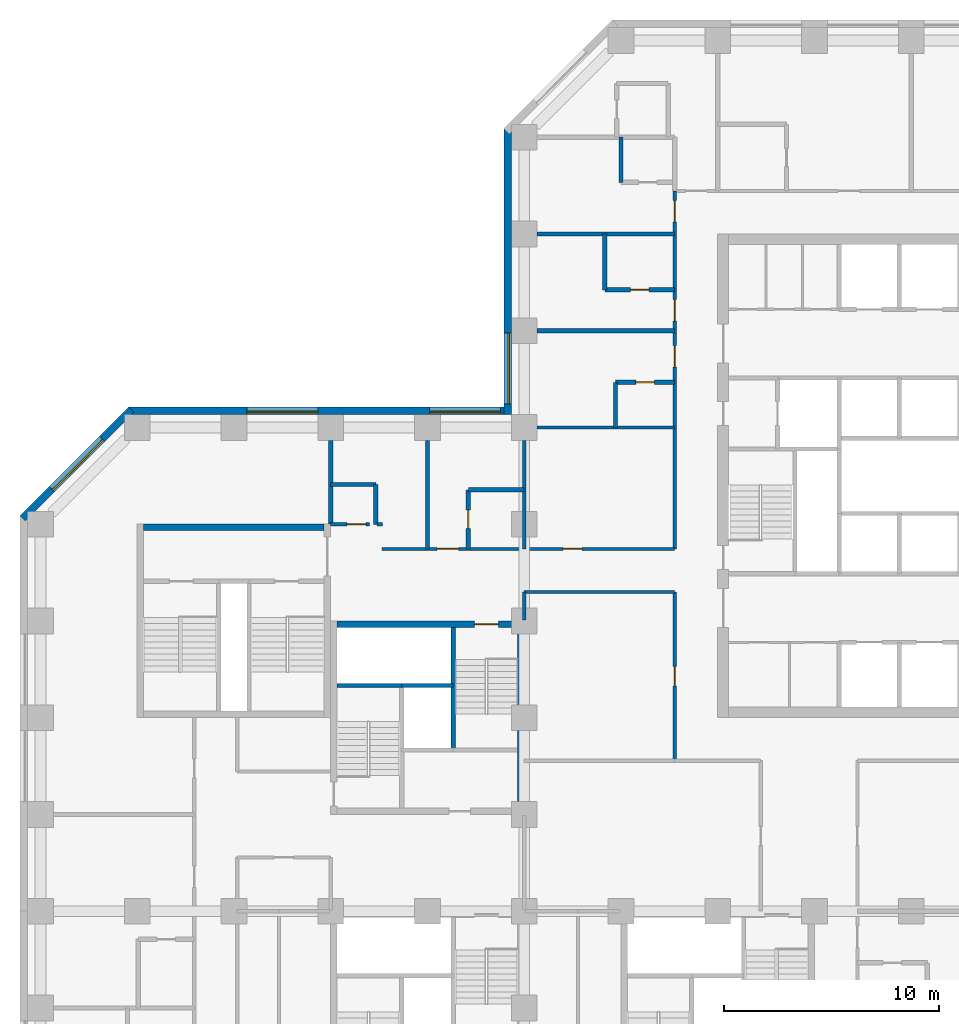
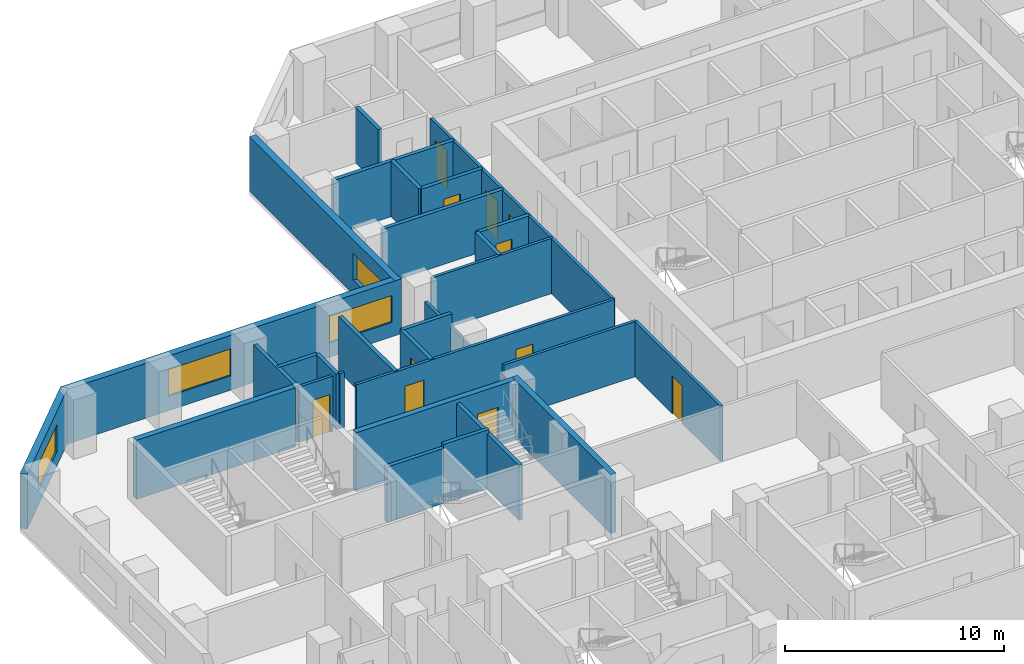
# One storey, part 6 of 12: 31 walls, 11 doors, 4 windows, 15 openings.
"""IFC4 building model written with IfcOpenShell, lengths in metres."""

from ifc_helpers import new_model, si_unit, direction, frame, frame_2d, origin, place, context, subcontext, project, spatial, rectangle, extrude, material, layer, layer_set, constituent, constituent_set, type_object, element, fill, save


model = new_model("IFC4")

# Units and contexts
model_context = context("Model", 3, precision=1e-05, world=origin(), true_north=direction((0.0, 1.0)))
body_context = subcontext(model_context, "Body", "Model", "MODEL_VIEW")
ifc_project = project(units=[si_unit("LENGTHUNIT", "METRE"), si_unit("AREAUNIT", "SQUARE_METRE"), si_unit("VOLUMEUNIT", "CUBIC_METRE"), si_unit("PLANEANGLEUNIT", "RADIAN"), si_unit("MASSUNIT", "GRAM", prefix="KILO")], contexts=[model_context])

# Site, building, storey
site_placement = place(None, origin())
site = spatial("IfcSite", under=ifc_project, at=site_placement, CompositionType="ELEMENT")
building_placement = place(site_placement, origin())
building = spatial("IfcBuilding", under=site, at=building_placement, Name="Quoin Convention Tower", CompositionType="ELEMENT")
storey_placement = place(building_placement, frame((0.0, 0.0, 42.89990234375)))
storey = spatial("IfcBuildingStorey", under=building, at=storey_placement, Name="L10", CompositionType="ELEMENT", Elevation=42.89990234375)

# Wall, opening, window
ifc_material_1 = material(Name="Brick masonry", Category="masonry")
ifc_layer_1 = layer(ifc_material_1, 0.35009765625)
ifc_layer_set_1 = layer_set([ifc_layer_1], Name="Brick masonry")
wall_type_1 = type_object("IfcWallType", Name="Brick facade wall", PredefinedType="STANDARD", material=ifc_layer_set_1)
wall_1_placement = place(storey_placement, frame((35.22509765625, 76.8935546875, 0.0), z_axis=(0.0, 0.0, 1.0), x_axis=(0.0, -1.0, 0.0)))
wall_1 = element("IfcWall", 1, at=wall_1_placement, inside=storey, type_object=wall_type_1, Name="fw-L10-36000_76500", PredefinedType="STANDARD", context=body_context, shape_type="SweptSolid", body=[
    extrude(rectangle(XDim=13.29345703125, YDim=0.35009765625, at=frame_2d((6.646728515625, 0.0))), origin(), (0.0, 0.0, 1.0), 3.05517578125),
])
opening_1_placement = place(wall_1_placement, frame((9.493408203125, 0.0, 0.800048828125)))
opening_1 = element("IfcOpeningElement", 2, at=opening_1_placement, cuts=wall_1, Name="Opening W-01", PredefinedType="OPENING", context=body_context, shape_type="SweptSolid", body=[
    extrude(rectangle(XDim=3.300048828125, YDim=1.5, at=frame_2d((1.64990234375, 0.75))), frame((0.0, 0.18505859375, 0.0), z_axis=(0.0, -1.0, 0.0), x_axis=(1.0, 0.0, 0.0)), (0.0, 0.0, 1.0), 0.3701171875),
])
ifc_material_2 = material(Name="Aluminium", Category="aluminium")
ifc_constituent_1 = constituent(ifc_material_2, Name="Frame")
ifc_material_3 = material(Name="Insulated glass", Category="glass")
ifc_constituent_2 = constituent(ifc_material_3, Name="Glazing")
ifc_constituent_set = constituent_set(constituents=[ifc_constituent_1, ifc_constituent_2], Name="Aluminium")
window_type = type_object("IfcWindowType", Name="Hotel strip window", PartitioningType="DOUBLE_PANEL_VERTICAL", PredefinedType="WINDOW", material=ifc_constituent_set)
window_1_placement = place(opening_1_placement, origin())
window_1 = element("IfcWindow", 3, at=window_1_placement, inside=storey, type_object=window_type, Name="win-L10-35225_65250", OverallHeight=1.5, OverallWidth=3.300048828125, PartitioningType="SINGLE_PANEL", PredefinedType="WINDOW", context=body_context, shape_type="SweptSolid", body=[
    extrude(rectangle(XDim=3.300048828125, YDim=1.5, at=frame_2d((1.64990234375, 0.75))), frame((0.0, 0.0849609375, 0.0), z_axis=(0.0, -1.0, 0.0), x_axis=(1.0, 0.0, 0.0)), (0.0, 0.0, 1.0), 0.06005859375),
])
fill(opening_1, window_1)

# Wall, openings, windows
wall_2_placement = place(storey_placement, frame((35.39990234375, 63.77490234375, 0.0), z_axis=(0.0, 0.0, 1.0), x_axis=(-1.0, 0.0, 0.0)))
wall_2 = element("IfcWall", 4, at=wall_2_placement, inside=storey, type_object=wall_type_1, Name="fw-L10-36000_63000", PredefinedType="STANDARD", context=body_context, shape_type="SweptSolid", body=[
    extrude(rectangle(XDim=17.79345703125, YDim=0.35009765625, at=frame_2d((8.896728515625, 0.0))), origin(), (0.0, 0.0, 1.0), 3.05517578125),
])
opening_2_placement = place(wall_2_placement, frame((0.5, 0.0, 0.800048828125)))
opening_2 = element("IfcOpeningElement", 5, at=opening_2_placement, cuts=wall_2, Name="Opening W-01", PredefinedType="OPENING", context=body_context, shape_type="SweptSolid", body=[
    extrude(rectangle(XDim=3.300048828125, YDim=1.5, at=frame_2d((1.64990234375, 0.75))), frame((0.0, 0.18505859375, 0.0), z_axis=(0.0, -1.0, 0.0), x_axis=(1.0, 0.0, 0.0)), (0.0, 0.0, 1.0), 0.3701171875),
])
opening_3_placement = place(wall_2_placement, frame((9.0, 0.0, 0.800048828125)))
opening_3 = element("IfcOpeningElement", 6, at=opening_3_placement, cuts=wall_2, Name="Opening W-01", PredefinedType="OPENING", context=body_context, shape_type="SweptSolid", body=[
    extrude(rectangle(XDim=3.300048828125, YDim=1.5, at=frame_2d((1.64990234375, 0.75))), frame((0.0, 0.18505859375, 0.0), z_axis=(0.0, -1.0, 0.0), x_axis=(1.0, 0.0, 0.0)), (0.0, 0.0, 1.0), 0.3701171875),
])
window_2_placement = place(opening_2_placement, origin())
window_2 = element("IfcWindow", 7, at=window_2_placement, inside=storey, type_object=window_type, Name="win-L10-33750_63775", OverallHeight=1.5, OverallWidth=3.300048828125, PartitioningType="SINGLE_PANEL", PredefinedType="WINDOW", context=body_context, shape_type="SweptSolid", body=[
    extrude(rectangle(XDim=3.300048828125, YDim=1.5, at=frame_2d((1.64990234375, 0.75))), frame((0.0, 0.0849609375, 0.0), z_axis=(0.0, -1.0, 0.0), x_axis=(1.0, 0.0, 0.0)), (0.0, 0.0, 1.0), 0.06005859375),
])
fill(opening_2, window_2)
window_3_placement = place(opening_3_placement, origin())
window_3 = element("IfcWindow", 8, at=window_3_placement, inside=storey, type_object=window_type, Name="win-L10-24750_63775", OverallHeight=1.5, OverallWidth=3.300048828125, PartitioningType="SINGLE_PANEL", PredefinedType="WINDOW", context=body_context, shape_type="SweptSolid", body=[
    extrude(rectangle(XDim=3.300048828125, YDim=1.5, at=frame_2d((1.64990234375, 0.75))), frame((0.0, 0.0849609375, 0.0), z_axis=(0.0, -1.0, 0.0), x_axis=(1.0, 0.0, 0.0)), (0.0, 0.0, 1.0), 0.06005859375),
])
fill(opening_3, window_3)

# Wall, opening, window
wall_3_placement = place(storey_placement, frame((17.730224609375, 63.826416015625, 0.0), z_axis=(0.0, 0.0, 1.0), x_axis=(-0.707106781187, -0.707106781187, 0.0)))
wall_3 = element("IfcWall", 9, at=wall_3_placement, inside=storey, type_object=wall_type_1, Name="fw-L10-18000_63000", PredefinedType="STANDARD", context=body_context, shape_type="SweptSolid", body=[
    extrude(rectangle(XDim=7.151123046875, YDim=0.35009765625, at=frame_2d((3.57568359375, 0.0))), origin(), (0.0, 0.0, 1.0), 3.05517578125),
])
opening_4_placement = place(wall_3_placement, frame((1.925537109375, 0.0, 0.800048828125)))
opening_4 = element("IfcOpeningElement", 10, at=opening_4_placement, cuts=wall_3, Name="Opening W-01", PredefinedType="OPENING", context=body_context, shape_type="SweptSolid", body=[
    extrude(rectangle(XDim=3.300048828125, YDim=1.5, at=frame_2d((1.64990234375, 0.75))), frame((0.0, 0.18505859375, 0.0), z_axis=(0.0, -1.0, 0.0), x_axis=(1.0, 0.0, 0.0)), (0.0, 0.0, 1.0), 0.3701171875),
])
window_4_placement = place(opening_4_placement, origin())
window_4 = element("IfcWindow", 11, at=window_4_placement, inside=storey, type_object=window_type, Name="win-L10-15202_61298", OverallHeight=1.5, OverallWidth=3.300048828125, PartitioningType="SINGLE_PANEL", PredefinedType="WINDOW", context=body_context, shape_type="SweptSolid", body=[
    extrude(rectangle(XDim=3.300048828125, YDim=1.5, at=frame_2d((1.64990234375, 0.75))), frame((0.0, 0.0849609375, 0.0), z_axis=(0.0, -1.0, 0.0), x_axis=(1.0, 0.0, 0.0)), (0.0, 0.0, 1.0), 0.06005859375),
])
fill(opening_4, window_4)

# Walls
ifc_material_4 = material(Name="Concrete C50", Category="concrete")
ifc_layer_2 = layer(ifc_material_4, 0.199951171875)
ifc_layer_set_2 = layer_set([ifc_layer_2], Name="Concrete C50")
wall_type_2 = type_object("IfcWallType", Name="Core shaft wall", PredefinedType="SOLIDWALL", material=ifc_layer_set_2)
wall_4_placement = place(storey_placement, frame((27.300048828125, 51.0, 0.0), z_axis=(0.0, 0.0, 1.0), x_axis=(1.0, 0.0, 0.0)))
element("IfcWall", 12, at=wall_4_placement, inside=storey, type_object=wall_type_2, Name="cr-P2-L10-h6000_300", PredefinedType="SOLIDWALL", context=body_context, shape_type="SweptSolid", body=[
    extrude(rectangle(XDim=3.0, YDim=0.199951171875, at=frame_2d((1.5, 0.0))), origin(), (0.0, 0.0, 1.0), 3.080078125),
])
wall_5_placement = place(storey_placement, frame((32.699951171875, 48.0, 0.0), z_axis=(0.0, 0.0, 1.0), x_axis=(0.0, 1.0, 0.0)))
element("IfcWall", 13, at=wall_5_placement, inside=storey, type_object=wall_type_2, Name="cr-P2-L10-v5700_3000", PredefinedType="SOLIDWALL", context=body_context, shape_type="SweptSolid", body=[
    extrude(rectangle(XDim=5.699951171875, YDim=0.199951171875, at=frame_2d((2.85009765625, 0.0))), origin(), (0.0, 0.0, 1.0), 3.080078125),
])
ifc_layer_3 = layer(ifc_material_4, 0.199951171875)
ifc_layer_set_3 = layer_set([ifc_layer_3], Name="Concrete C50")
wall_type_3 = type_object("IfcWallType", Name="Core shaft wall to the floor level over", PredefinedType="SOLIDWALL", material=ifc_layer_set_3)
wall_6_placement = place(storey_placement, frame((30.300048828125, 51.0, 0.0), z_axis=(0.0, 0.0, 1.0), x_axis=(1.0, 0.0, 0.0)))
element("IfcWall", 14, at=wall_6_placement, inside=storey, type_object=wall_type_3, Name="cr-P2-L10-h6000_3300", PredefinedType="SOLIDWALL", context=body_context, shape_type="SweptSolid", body=[
    extrude(rectangle(XDim=2.39990234375, YDim=0.199951171875, at=frame_2d((1.199951171875, 0.0))), origin(), (0.0, 0.0, 1.0), 3.300048828125),
])

# Wall, opening, door
ifc_material_5 = material(Name="Concrete C80", Category="concrete")
ifc_layer_4 = layer(ifc_material_5, 0.300048828125)
ifc_layer_set_4 = layer_set([ifc_layer_4], Name="Concrete C80")
wall_type_4 = type_object("IfcWallType", Name="RC CORE WALL 300 C80", PredefinedType="SHEAR", material=ifc_layer_set_4)
wall_7_placement = place(storey_placement, frame((27.300048828125, 53.85009765625, 0.0), z_axis=(0.0, 0.0, 1.0), x_axis=(1.0, 0.0, 0.0)))
wall_7 = element("IfcWall", 15, at=wall_7_placement, inside=storey, type_object=wall_type_4, Name="cwl-P2-L10-N", PredefinedType="SHEAR", context=body_context, shape_type="SweptSolid", body=[
    extrude(rectangle(XDim=8.39990234375, YDim=0.300048828125, at=frame_2d((4.199951171875, 0.0))), origin(), (0.0, 0.0, 1.0), 3.300048828125),
])
opening_5_placement = place(wall_7_placement, frame((6.39990234375, 0.0, 0.0)))
opening_5 = element("IfcOpeningElement", 16, at=opening_5_placement, cuts=wall_7, Name="Opening SD4", PredefinedType="OPENING", context=body_context, shape_type="SweptSolid", body=[
    extrude(rectangle(XDim=1.10009765625, YDim=2.10009765625, at=frame_2d((0.550048828125, 1.050048828125))), frame((0.0, 0.159912109375, 0.0), z_axis=(0.0, -1.0, 0.0), x_axis=(1.0, 0.0, 0.0)), (0.0, 0.0, 1.0), 0.320068359375),
])
ifc_material_6 = material(Name="Steel door leaf", Category="steel")
door_type_1 = type_object("IfcDoorType", Name="Stair door 1100 x 2100", OperationType="SINGLE_SWING_RIGHT", PredefinedType="DOOR", material=ifc_material_6)
door_1_placement = place(opening_5_placement, frame((1.10009765625, 0.0, 0.0), z_axis=(0.0, 0.0, 1.0), x_axis=(-1.0, 0.0, 0.0)))
door_1 = element("IfcDoor", 17, at=door_1_placement, inside=storey, type_object=door_type_1, Name="cd-P2-L10-SB-N", OperationType="SINGLE_SWING_LEFT", OverallHeight=2.10009765625, OverallWidth=1.10009765625, PredefinedType="DOOR", context=body_context, shape_type="SweptSolid", body=[
    extrude(rectangle(XDim=1.10009765625, YDim=2.10009765625, at=frame_2d((0.550048828125, 1.050048828125))), frame((0.0, 0.02490234375, 0.0), z_axis=(0.0, -1.0, 0.0), x_axis=(1.0, 0.0, 0.0)), (0.0, 0.0, 1.0), 0.050048828125),
])
fill(opening_5, door_1)

# Walls
wall_8_placement = place(storey_placement, frame((35.85009765625, 45.0, 0.0), z_axis=(0.0, 0.0, 1.0), x_axis=(0.0, 1.0, 0.0)))
element("IfcWall", 18, at=wall_8_placement, inside=storey, type_object=wall_type_4, Name="cwl-P2-L10-E", PredefinedType="SHEAR", context=body_context, shape_type="SweptSolid", body=[
    extrude(rectangle(XDim=9.0, YDim=0.300048828125, at=frame_2d((4.5, 0.0))), origin(), (0.0, 0.0, 1.0), 3.300048828125),
])
wall_9_placement = place(storey_placement, frame((18.300048828125, 58.35009765625, 0.0), z_axis=(0.0, 0.0, 1.0), x_axis=(1.0, 0.0, 0.0)))
element("IfcWall", 19, at=wall_9_placement, inside=storey, type_object=wall_type_4, Name="cwl-P6-L10-N", PredefinedType="SHEAR", context=body_context, shape_type="SweptSolid", body=[
    extrude(rectangle(XDim=8.39990234375, YDim=0.300048828125, at=frame_2d((4.199951171875, 0.0))), origin(), (0.0, 0.0, 1.0), 3.300048828125),
])
ifc_layer_5 = layer(ifc_material_4, 0.199951171875)
ifc_layer_set_5 = layer_set([ifc_layer_5], Name="Concrete C50")
wall_type_5 = type_object("IfcWallType", Name="RC party wall", PredefinedType="SOLIDWALL", material=ifc_layer_set_5)
wall_10_placement = place(storey_placement, frame((27.0, 58.5, 0.0), z_axis=(0.0, 0.0, 1.0), x_axis=(0.0, 1.0, 0.0)))
element("IfcWall", 20, at=wall_10_placement, inside=storey, type_object=wall_type_5, Name="pw-L10-099", PredefinedType="SOLIDWALL", context=body_context, shape_type="SweptSolid", body=[
    extrude(rectangle(XDim=3.89990234375, YDim=0.199951171875, at=frame_2d((1.949951171875, 0.0))), origin(), (0.0, 0.0, 1.0), 3.080078125),
])
wall_11_placement = place(storey_placement, frame((29.10009765625, 58.47998046875, 0.0), z_axis=(0.0, 0.0, 1.0), x_axis=(0.0, 1.0, 0.0)))
element("IfcWall", 21, at=wall_11_placement, inside=storey, type_object=wall_type_5, Name="pw-L10-100", PredefinedType="SOLIDWALL", context=body_context, shape_type="SweptSolid", body=[
    extrude(rectangle(XDim=1.8701171875, YDim=0.199951171875, at=frame_2d((0.93505859375, 0.0))), origin(), (0.0, 0.0, 1.0), 3.080078125),
])
wall_12_placement = place(storey_placement, frame((31.5, 57.35009765625, 0.0), z_axis=(0.0, 0.0, 1.0), x_axis=(0.0, 1.0, 0.0)))
element("IfcWall", 22, at=wall_12_placement, inside=storey, type_object=wall_type_5, Name="pw-L10-101", PredefinedType="SOLIDWALL", context=body_context, shape_type="SweptSolid", body=[
    extrude(rectangle(XDim=5.0498046875, YDim=0.199951171875, at=frame_2d((2.52490234375, 0.0))), origin(), (0.0, 0.0, 1.0), 3.080078125),
])

# Wall, opening, door
wall_13_placement = place(storey_placement, frame((33.39990234375, 57.35009765625, 0.0), z_axis=(0.0, 0.0, 1.0), x_axis=(0.0, 1.0, 0.0)))
wall_13 = element("IfcWall", 23, at=wall_13_placement, inside=storey, type_object=wall_type_5, Name="pw-L10-102", PredefinedType="SOLIDWALL", context=body_context, shape_type="SweptSolid", body=[
    extrude(rectangle(XDim=2.75, YDim=0.199951171875, at=frame_2d((1.375, 0.0))), origin(), (0.0, 0.0, 1.0), 3.080078125),
])
opening_6_placement = place(wall_13_placement, frame((0.949951171875, 0.0, 0.0)))
opening_6 = element("IfcOpeningElement", 24, at=opening_6_placement, cuts=wall_13, Name="Opening DHOTEL-F-55", PredefinedType="OPENING", context=body_context, shape_type="SweptSolid", body=[
    extrude(rectangle(XDim=0.85009765625, YDim=2.10009765625, at=frame_2d((0.425048828125, 1.050048828125))), frame((0.0, 0.10986328125, 0.0), z_axis=(0.0, -1.0, 0.0), x_axis=(1.0, 0.0, 0.0)), (0.0, 0.0, 1.0), 0.219970703125),
])
door_type_2 = type_object("IfcDoorType", Name="Bathroom door", OperationType="SINGLE_SWING_LEFT", PredefinedType="DOOR", material=ifc_material_6)
door_2_placement = place(opening_6_placement, origin())
door_2 = element("IfcDoor", 25, at=door_2_placement, inside=storey, type_object=door_type_2, Name="dr-L10-024", OperationType="SINGLE_SWING_LEFT", OverallHeight=2.10009765625, OverallWidth=0.85009765625, PredefinedType="DOOR", context=body_context, shape_type="SweptSolid", body=[
    extrude(rectangle(XDim=0.85009765625, YDim=2.10009765625, at=frame_2d((0.425048828125, 1.050048828125))), frame((0.0, 0.02490234375, 0.0), z_axis=(0.0, -1.0, 0.0), x_axis=(1.0, 0.0, 0.0)), (0.0, 0.0, 1.0), 0.050048828125),
])
fill(opening_6, door_2)

# Walls
wall_14_placement = place(storey_placement, frame((33.39990234375, 60.10009765625, 0.0), z_axis=(0.0, 0.0, 1.0), x_axis=(1.0, 0.0, 0.0)))
element("IfcWall", 26, at=wall_14_placement, inside=storey, type_object=wall_type_5, Name="pw-L10-109", PredefinedType="SOLIDWALL", context=body_context, shape_type="SweptSolid", body=[
    extrude(rectangle(XDim=2.60009765625, YDim=0.199951171875, at=frame_2d((1.300048828125, 0.0))), origin(), (0.0, 0.0, 1.0), 3.080078125),
])
for number, where, z_axis, x_axis, name in (
    (27, (27.0, 60.35009765625, 0.0), (0.0, 0.0, 1.0), (1.0, 0.0, 0.0), "pw-L10-110"),
    (28, (40.25, 63.0, 0.0), (0.0, 0.0, 1.0), (0.0, 1.0, 0.0), "pw-L10-112"),
):
    element("IfcWall", number, at=place(storey_placement, frame(where, z_axis=z_axis, x_axis=x_axis)), inside=storey, type_object=wall_type_5, Name=name, PredefinedType="SOLIDWALL", context=body_context, shape_type="SweptSolid", body=[
        extrude(rectangle(XDim=2.10009765625, YDim=0.199951171875, at=frame_2d((1.050048828125, 0.0))), origin(), (0.0, 0.0, 1.0), 3.080078125),
    ])

# Wall, opening, door
wall_15_placement = place(storey_placement, frame((40.25, 65.10009765625, 0.0), z_axis=(0.0, 0.0, 1.0), x_axis=(1.0, 0.0, 0.0)))
wall_15 = element("IfcWall", 29, at=wall_15_placement, inside=storey, type_object=wall_type_5, Name="pw-L10-115", PredefinedType="SOLIDWALL", context=body_context, shape_type="SweptSolid", body=[
    extrude(rectangle(XDim=2.75, YDim=0.199951171875, at=frame_2d((1.375, 0.0))), origin(), (0.0, 0.0, 1.0), 3.080078125),
])
opening_7_placement = place(wall_15_placement, frame((0.949951171875, 0.0, 0.0)))
opening_7 = element("IfcOpeningElement", 30, at=opening_7_placement, cuts=wall_15, Name="Opening DHOTEL-F-57", PredefinedType="OPENING", context=body_context, shape_type="SweptSolid", body=[
    extrude(rectangle(XDim=0.85009765625, YDim=2.10009765625, at=frame_2d((0.425048828125, 1.050048828125))), frame((0.0, 0.10986328125, 0.0), z_axis=(0.0, -1.0, 0.0), x_axis=(1.0, 0.0, 0.0)), (0.0, 0.0, 1.0), 0.219970703125),
])
door_3_placement = place(opening_7_placement, origin())
door_3 = element("IfcDoor", 31, at=door_3_placement, inside=storey, type_object=door_type_2, Name="dr-L10-030", OperationType="SINGLE_SWING_RIGHT", OverallHeight=2.10009765625, OverallWidth=0.85009765625, PredefinedType="DOOR", context=body_context, shape_type="SweptSolid", body=[
    extrude(rectangle(XDim=0.85009765625, YDim=2.10009765625, at=frame_2d((0.425048828125, 1.050048828125))), frame((0.0, 0.02490234375, 0.0), z_axis=(0.0, -1.0, 0.0), x_axis=(1.0, 0.0, 0.0)), (0.0, 0.0, 1.0), 0.050048828125),
])
fill(opening_7, door_3)

# Wall
wall_16_placement = place(storey_placement, frame((36.60009765625, 67.5, 0.0), z_axis=(0.0, 0.0, 1.0), x_axis=(1.0, 0.0, 0.0)))
element("IfcWall", 32, at=wall_16_placement, inside=storey, type_object=wall_type_5, Name="pw-L10-117", PredefinedType="SOLIDWALL", context=body_context, shape_type="SweptSolid", body=[
    extrude(rectangle(XDim=6.39990234375, YDim=0.199951171875, at=frame_2d((3.199951171875, 0.0))), origin(), (0.0, 0.0, 1.0), 3.080078125),
])

# Wall, opening, door
wall_17_placement = place(storey_placement, frame((39.75, 69.39990234375, 0.0), z_axis=(0.0, 0.0, 1.0), x_axis=(1.0, 0.0, 0.0)))
wall_17 = element("IfcWall", 33, at=wall_17_placement, inside=storey, type_object=wall_type_5, Name="pw-L10-118", PredefinedType="SOLIDWALL", context=body_context, shape_type="SweptSolid", body=[
    extrude(rectangle(XDim=3.25, YDim=0.199951171875, at=frame_2d((1.625, 0.0))), origin(), (0.0, 0.0, 1.0), 3.080078125),
])
opening_8_placement = place(wall_17_placement, frame((1.199951171875, 0.0, 0.0)))
opening_8 = element("IfcOpeningElement", 34, at=opening_8_placement, cuts=wall_17, Name="Opening DHOTEL-F-59", PredefinedType="OPENING", context=body_context, shape_type="SweptSolid", body=[
    extrude(rectangle(XDim=0.85009765625, YDim=2.10009765625, at=frame_2d((0.425048828125, 1.050048828125))), frame((0.0, 0.10986328125, 0.0), z_axis=(0.0, -1.0, 0.0), x_axis=(1.0, 0.0, 0.0)), (0.0, 0.0, 1.0), 0.219970703125),
])
door_4_placement = place(opening_8_placement, frame((0.85009765625, 0.0, 0.0), z_axis=(0.0, 0.0, 1.0), x_axis=(-1.0, 0.0, 0.0)))
door_4 = element("IfcDoor", 35, at=door_4_placement, inside=storey, type_object=door_type_2, Name="dr-L10-032", OperationType="SINGLE_SWING_LEFT", OverallHeight=2.10009765625, OverallWidth=0.85009765625, PredefinedType="DOOR", context=body_context, shape_type="SweptSolid", body=[
    extrude(rectangle(XDim=0.85009765625, YDim=2.10009765625, at=frame_2d((0.425048828125, 1.050048828125))), frame((0.0, 0.02490234375, 0.0), z_axis=(0.0, -1.0, 0.0), x_axis=(1.0, 0.0, 0.0)), (0.0, 0.0, 1.0), 0.050048828125),
])
fill(opening_8, door_4)

# Walls
wall_18_placement = place(storey_placement, frame((39.75, 69.39990234375, 0.0), z_axis=(0.0, 0.0, 1.0), x_axis=(0.0, 1.0, 0.0)))
element("IfcWall", 36, at=wall_18_placement, inside=storey, type_object=wall_type_5, Name="pw-L10-119", PredefinedType="SOLIDWALL", context=body_context, shape_type="SweptSolid", body=[
    extrude(rectangle(XDim=2.60009765625, YDim=0.199951171875, at=frame_2d((1.300048828125, 0.0))), origin(), (0.0, 0.0, 1.0), 3.080078125),
])
wall_19_placement = place(storey_placement, frame((36.60009765625, 72.0, 0.0), z_axis=(0.0, 0.0, 1.0), x_axis=(1.0, 0.0, 0.0)))
element("IfcWall", 37, at=wall_19_placement, inside=storey, type_object=wall_type_5, Name="pw-L10-120", PredefinedType="SOLIDWALL", context=body_context, shape_type="SweptSolid", body=[
    extrude(rectangle(XDim=6.39990234375, YDim=0.199951171875, at=frame_2d((3.199951171875, 0.0))), origin(), (0.0, 0.0, 1.0), 3.080078125),
])
wall_20_placement = place(storey_placement, frame((40.5, 74.39990234375, 0.0), z_axis=(0.0, 0.0, 1.0), x_axis=(0.0, 1.0, 0.0)))
element("IfcWall", 38, at=wall_20_placement, inside=storey, type_object=wall_type_5, Name="pw-L10-132", PredefinedType="SOLIDWALL", context=body_context, shape_type="SweptSolid", body=[
    extrude(rectangle(XDim=2.10009765625, YDim=0.199951171875, at=frame_2d((1.050048828125, 0.0))), origin(), (0.0, 0.0, 1.0), 3.080078125),
])

# Wall, opening, door
ifc_material_7 = material(Name="Plasterboard")
ifc_layer_6 = layer(ifc_material_7, 0.012451171875, Name="Finish")
ifc_material_8 = material(Name="Steel stud framing", Category="steel")
ifc_layer_7 = layer(ifc_material_8, 0.125, Name="Structure")
ifc_layer_8 = layer(ifc_material_7, 0.012451171875, Name="Finish")
ifc_layer_set_6 = layer_set([ifc_layer_6, ifc_layer_7, ifc_layer_8], Name="Steel stud framing")
wall_type_6 = type_object("IfcWallType", Name="corridor partition", PredefinedType="PARTITIONING", material=ifc_layer_set_6)
wall_21_placement = place(storey_placement, frame((43.0, 47.5, 0.0), z_axis=(0.0, 0.0, 1.0), x_axis=(0.0, 1.0, 0.0)))
wall_21 = element("IfcWall", 39, at=wall_21_placement, inside=storey, type_object=wall_type_6, Name="pw-L10-027", PredefinedType="PARTITIONING", context=body_context, shape_type="SweptSolid", body=[
    extrude(rectangle(XDim=7.85009765625, YDim=0.14990234375, at=frame_2d((3.925048828125, 0.0))), origin(), (0.0, 0.0, 1.0), 3.080078125),
])
opening_9_placement = place(wall_21_placement, frame((3.47509765625, 0.0, 0.0)))
opening_9 = element("IfcOpeningElement", 40, at=opening_9_placement, cuts=wall_21, Name="Opening DHOTEL-F-20", PredefinedType="OPENING", context=body_context, shape_type="SweptSolid", body=[
    extrude(rectangle(XDim=0.89990234375, YDim=2.10009765625, at=frame_2d((0.449951171875, 1.050048828125))), frame((0.0, 0.0849609375, 0.0), z_axis=(0.0, -1.0, 0.0), x_axis=(1.0, 0.0, 0.0)), (0.0, 0.0, 1.0), 0.169921875),
])
door_type_3 = type_object("IfcDoorType", Name="Single room door", OperationType="SINGLE_SWING_RIGHT", PredefinedType="DOOR", material=ifc_material_6)
door_5_placement = place(opening_9_placement, origin())
door_5 = element("IfcDoor", 41, at=door_5_placement, inside=storey, type_object=door_type_3, Name="dr-L10-072", OperationType="SINGLE_SWING_RIGHT", OverallHeight=2.10009765625, OverallWidth=0.89990234375, PredefinedType="DOOR", context=body_context, shape_type="SweptSolid", body=[
    extrude(rectangle(XDim=0.89990234375, YDim=2.10009765625, at=frame_2d((0.449951171875, 1.050048828125))), frame((0.0, 0.02490234375, 0.0), z_axis=(0.0, -1.0, 0.0), x_axis=(1.0, 0.0, 0.0)), (0.0, 0.0, 1.0), 0.050048828125),
])
fill(opening_9, door_5)

# Wall
wall_22_placement = place(storey_placement, frame((36.0, 55.35009765625, 0.0), z_axis=(0.0, 0.0, 1.0), x_axis=(1.0, 0.0, 0.0)))
element("IfcWall", 42, at=wall_22_placement, inside=storey, type_object=wall_type_6, Name="pw-L10-033", PredefinedType="PARTITIONING", context=body_context, shape_type="SweptSolid", body=[
    extrude(rectangle(XDim=7.0, YDim=0.14990234375, at=frame_2d((3.5, 0.0))), origin(), (0.0, 0.0, 1.0), 3.080078125),
])

# Wall, openings, doors
wall_23_placement = place(storey_placement, frame((29.3798828125, 57.35009765625, 0.0), z_axis=(0.0, 0.0, 1.0), x_axis=(1.0, 0.0, 0.0)))
wall_23 = element("IfcWall", 43, at=wall_23_placement, inside=storey, type_object=wall_type_6, Name="pw-L10-034", PredefinedType="PARTITIONING", context=body_context, shape_type="SweptSolid", body=[
    extrude(rectangle(XDim=13.6201171875, YDim=0.14990234375, at=frame_2d((6.81005859375, 0.0))), origin(), (0.0, 0.0, 1.0), 3.080078125),
])
opening_10_placement = place(wall_23_placement, frame((2.570068359375, 0.0, 0.0)))
opening_10 = element("IfcOpeningElement", 44, at=opening_10_placement, cuts=wall_23, Name="Opening DHOTEL-F-29", PredefinedType="OPENING", context=body_context, shape_type="SweptSolid", body=[
    extrude(rectangle(XDim=1.0, YDim=2.10009765625, at=frame_2d((0.5, 1.050048828125))), frame((0.0, 0.0849609375, 0.0), z_axis=(0.0, -1.0, 0.0), x_axis=(1.0, 0.0, 0.0)), (0.0, 0.0, 1.0), 0.169921875),
])
opening_11_placement = place(wall_23_placement, frame((8.419921875, 0.0, 0.0)))
opening_11 = element("IfcOpeningElement", 45, at=opening_11_placement, cuts=wall_23, Name="Opening DHOTEL-F-30", PredefinedType="OPENING", context=body_context, shape_type="SweptSolid", body=[
    extrude(rectangle(XDim=0.89990234375, YDim=2.10009765625, at=frame_2d((0.449951171875, 1.050048828125))), frame((0.0, 0.0849609375, 0.0), z_axis=(0.0, -1.0, 0.0), x_axis=(1.0, 0.0, 0.0)), (0.0, 0.0, 1.0), 0.169921875),
])
door_type_4 = type_object("IfcDoorType", Name="Hotel room door", OperationType="SINGLE_SWING_LEFT", PredefinedType="DOOR", material=ifc_material_6)
door_6_placement = place(opening_10_placement, origin())
door_6 = element("IfcDoor", 46, at=door_6_placement, inside=storey, type_object=door_type_4, Name="dr-L10-023", OperationType="SINGLE_SWING_RIGHT", OverallHeight=2.10009765625, OverallWidth=1.0, PredefinedType="DOOR", context=body_context, shape_type="SweptSolid", body=[
    extrude(rectangle(XDim=1.0, YDim=2.10009765625, at=frame_2d((0.5, 1.050048828125))), frame((0.0, 0.02490234375, 0.0), z_axis=(0.0, -1.0, 0.0), x_axis=(1.0, 0.0, 0.0)), (0.0, 0.0, 1.0), 0.050048828125),
])
fill(opening_10, door_6)
door_7_placement = place(opening_11_placement, origin())
door_7 = element("IfcDoor", 47, at=door_7_placement, inside=storey, type_object=door_type_3, Name="dr-L10-w02", OperationType="SINGLE_SWING_LEFT", OverallHeight=2.10009765625, OverallWidth=0.89990234375, PredefinedType="DOOR", context=body_context, shape_type="SweptSolid", body=[
    extrude(rectangle(XDim=0.89990234375, YDim=2.10009765625, at=frame_2d((0.449951171875, 1.050048828125))), frame((0.0, 0.02490234375, 0.0), z_axis=(0.0, -1.0, 0.0), x_axis=(1.0, 0.0, 0.0)), (0.0, 0.0, 1.0), 0.050048828125),
])
fill(opening_11, door_7)

wall_24_placement = place(storey_placement, frame((43.0, 57.35009765625, 0.0), z_axis=(0.0, 0.0, 1.0), x_axis=(0.0, 1.0, 0.0)))
wall_24 = element("IfcWall", 48, at=wall_24_placement, inside=storey, type_object=wall_type_6, Name="pw-L10-035", PredefinedType="PARTITIONING", context=body_context, shape_type="SweptSolid", body=[
    extrude(rectangle(XDim=16.64990234375, YDim=0.14990234375, at=frame_2d((8.324951171875, 0.0))), origin(), (0.0, 0.0, 1.0), 3.080078125),
])
opening_12_placement = place(wall_24_placement, frame((8.449951171875, 0.0, 0.0)))
opening_12 = element("IfcOpeningElement", 49, at=opening_12_placement, cuts=wall_24, Name="Opening DHOTEL-F-31", PredefinedType="OPENING", context=body_context, shape_type="SweptSolid", body=[
    extrude(rectangle(XDim=1.0, YDim=2.10009765625, at=frame_2d((0.5, 1.050048828125))), frame((0.0, 0.0849609375, 0.0), z_axis=(0.0, -1.0, 0.0), x_axis=(1.0, 0.0, 0.0)), (0.0, 0.0, 1.0), 0.169921875),
])
opening_13_placement = place(wall_24_placement, frame((10.60009765625, 0.0, 0.0)))
opening_13 = element("IfcOpeningElement", 50, at=opening_13_placement, cuts=wall_24, Name="Opening DHOTEL-F-32", PredefinedType="OPENING", context=body_context, shape_type="SweptSolid", body=[
    extrude(rectangle(XDim=1.0, YDim=2.10009765625, at=frame_2d((0.5, 1.050048828125))), frame((0.0, 0.0849609375, 0.0), z_axis=(0.0, -1.0, 0.0), x_axis=(1.0, 0.0, 0.0)), (0.0, 0.0, 1.0), 0.169921875),
])
opening_14_placement = place(wall_24_placement, frame((15.202880859375, 0.0, 0.0)))
opening_14 = element("IfcOpeningElement", 51, at=opening_14_placement, cuts=wall_24, Name="Opening DHOTEL-F-33", PredefinedType="OPENING", context=body_context, shape_type="SweptSolid", body=[
    extrude(rectangle(XDim=1.0, YDim=2.10009765625, at=frame_2d((0.5, 1.050048828125))), frame((0.0, 0.0849609375, 0.0), z_axis=(0.0, -1.0, 0.0), x_axis=(1.0, 0.0, 0.0)), (0.0, 0.0, 1.0), 0.169921875),
])
door_8_placement = place(opening_12_placement, origin())
door_8 = element("IfcDoor", 52, at=door_8_placement, inside=storey, type_object=door_type_4, Name="dr-L10-029", OperationType="SINGLE_SWING_RIGHT", OverallHeight=2.10009765625, OverallWidth=1.0, PredefinedType="DOOR", context=body_context, shape_type="SweptSolid", body=[
    extrude(rectangle(XDim=1.0, YDim=2.10009765625, at=frame_2d((0.5, 1.050048828125))), frame((0.0, 0.02490234375, 0.0), z_axis=(0.0, -1.0, 0.0), x_axis=(1.0, 0.0, 0.0)), (0.0, 0.0, 1.0), 0.050048828125),
])
fill(opening_12, door_8)
door_9_placement = place(opening_13_placement, origin())
door_9 = element("IfcDoor", 53, at=door_9_placement, inside=storey, type_object=door_type_4, Name="dr-L10-031", OperationType="SINGLE_SWING_RIGHT", OverallHeight=2.10009765625, OverallWidth=1.0, PredefinedType="DOOR", context=body_context, shape_type="SweptSolid", body=[
    extrude(rectangle(XDim=1.0, YDim=2.10009765625, at=frame_2d((0.5, 1.050048828125))), frame((0.0, 0.02490234375, 0.0), z_axis=(0.0, -1.0, 0.0), x_axis=(1.0, 0.0, 0.0)), (0.0, 0.0, 1.0), 0.050048828125),
])
fill(opening_13, door_9)
door_10_placement = place(opening_14_placement, origin())
door_10 = element("IfcDoor", 54, at=door_10_placement, inside=storey, type_object=door_type_4, Name="dr-L10-033", OperationType="SINGLE_SWING_RIGHT", OverallHeight=2.10009765625, OverallWidth=1.0, PredefinedType="DOOR", context=body_context, shape_type="SweptSolid", body=[
    extrude(rectangle(XDim=1.0, YDim=2.10009765625, at=frame_2d((0.5, 1.050048828125))), frame((0.0, 0.02490234375, 0.0), z_axis=(0.0, -1.0, 0.0), x_axis=(1.0, 0.0, 0.0)), (0.0, 0.0, 1.0), 0.050048828125),
])
fill(opening_14, door_10)

# Wall, opening, door
wall_25_placement = place(storey_placement, frame((27.0, 58.5, 0.0), z_axis=(0.0, 0.0, 1.0), x_axis=(1.0, 0.0, 0.0)))
wall_25 = element("IfcWall", 55, at=wall_25_placement, inside=storey, type_object=wall_type_6, Name="pw-L10-w01", PredefinedType="PARTITIONING", context=body_context, shape_type="SweptSolid", body=[
    extrude(rectangle(XDim=1.800048828125, YDim=0.14990234375, at=frame_2d((0.89990234375, 0.0))), origin(), (0.0, 0.0, 1.0), 3.080078125),
])
opening_15_placement = place(wall_25_placement, frame((0.75, 0.0, 0.0)))
opening_15 = element("IfcOpeningElement", 56, at=opening_15_placement, cuts=wall_25, Name="Opening DHOTEL-F-67", PredefinedType="OPENING", context=body_context, shape_type="SweptSolid", body=[
    extrude(rectangle(XDim=0.89990234375, YDim=2.10009765625, at=frame_2d((0.449951171875, 1.050048828125))), frame((0.0, 0.0849609375, 0.0), z_axis=(0.0, -1.0, 0.0), x_axis=(1.0, 0.0, 0.0)), (0.0, 0.0, 1.0), 0.169921875),
])
door_11_placement = place(opening_15_placement, origin())
door_11 = element("IfcDoor", 57, at=door_11_placement, inside=storey, type_object=door_type_3, Name="dr-L10-w03", OperationType="SINGLE_SWING_RIGHT", OverallHeight=2.10009765625, OverallWidth=0.89990234375, PredefinedType="DOOR", context=body_context, shape_type="SweptSolid", body=[
    extrude(rectangle(XDim=0.89990234375, YDim=2.10009765625, at=frame_2d((0.449951171875, 1.050048828125))), frame((0.0, 0.02490234375, 0.0), z_axis=(0.0, -1.0, 0.0), x_axis=(1.0, 0.0, 0.0)), (0.0, 0.0, 1.0), 0.050048828125),
])
fill(opening_15, door_11)

# Walls
ifc_layer_9 = layer(ifc_material_7, 0.012451171875, Name="Finish")
ifc_layer_10 = layer(ifc_material_8, 0.125, Name="Structure")
ifc_layer_11 = layer(ifc_material_7, 0.012451171875, Name="Finish")
ifc_layer_set_7 = layer_set([ifc_layer_9, ifc_layer_10, ifc_layer_11], Name="Steel stud framing")
wall_type_7 = type_object("IfcWallType", Name="corridor partition under beam 750", PredefinedType="PARTITIONING", material=ifc_layer_set_7)
wall_26_placement = place(storey_placement, frame((36.0, 54.050048828125, 0.0), z_axis=(0.0, 0.0, 1.0), x_axis=(0.0, 1.0, 0.0)))
element("IfcWall", 58, at=wall_26_placement, inside=storey, type_object=wall_type_7, Name="pw-L10-031", PredefinedType="PARTITIONING", context=body_context, shape_type="SweptSolid", body=[
    extrude(rectangle(XDim=1.300048828125, YDim=0.14990234375, at=frame_2d((0.64990234375, 0.0))), origin(), (0.0, 0.0, 1.0), 2.330078125),
])
ifc_layer_12 = layer(ifc_material_7, 0.012451171875, Name="Finish")
ifc_layer_13 = layer(ifc_material_8, 0.125, Name="Structure")
ifc_layer_14 = layer(ifc_material_7, 0.012451171875, Name="Finish")
ifc_layer_set_8 = layer_set([ifc_layer_12, ifc_layer_13, ifc_layer_14], Name="Steel stud framing")
wall_type_8 = type_object("IfcWallType", Name="room partition", PredefinedType="PARTITIONING", material=ifc_layer_set_8)
wall_27_placement = place(storey_placement, frame((36.60009765625, 63.0, 0.0), z_axis=(0.0, 0.0, 1.0), x_axis=(1.0, 0.0, 0.0)))
element("IfcWall", 59, at=wall_27_placement, inside=storey, type_object=wall_type_8, Name="pw-L10-159", PredefinedType="PARTITIONING", context=body_context, shape_type="SweptSolid", body=[
    extrude(rectangle(XDim=6.39990234375, YDim=0.14990234375, at=frame_2d((3.199951171875, 0.0))), origin(), (0.0, 0.0, 1.0), 3.080078125),
])
wall_28_placement = place(storey_placement, frame((29.159912109375, 58.5, 0.0), z_axis=(0.0, 0.0, 1.0), x_axis=(1.0, 0.0, 0.0)))
element("IfcWall", 60, at=wall_28_placement, inside=storey, type_object=wall_type_8, Name="pw-L10-w02", PredefinedType="PARTITIONING", context=body_context, shape_type="SweptSolid", body=[
    extrude(rectangle(XDim=0.239990234375, YDim=0.14990234375, at=frame_2d((0.1201171875, 0.0))), origin(), (0.0, 0.0, 1.0), 3.080078125),
])
ifc_layer_15 = layer(ifc_material_7, 0.012451171875, Name="Finish")
ifc_layer_16 = layer(ifc_material_8, 0.125, Name="Structure")
ifc_layer_17 = layer(ifc_material_7, 0.012451171875, Name="Finish")
ifc_layer_set_9 = layer_set([ifc_layer_15, ifc_layer_16, ifc_layer_17], Name="Steel stud framing")
wall_type_9 = type_object("IfcWallType", Name="room partition under beam 750", PredefinedType="PARTITIONING", material=ifc_layer_set_9)
wall_29_placement = place(storey_placement, frame((36.0, 57.35009765625, 0.0), z_axis=(0.0, 0.0, 1.0), x_axis=(0.0, 1.0, 0.0)))
element("IfcWall", 61, at=wall_29_placement, inside=storey, type_object=wall_type_9, Name="pw-L10-156", PredefinedType="PARTITIONING", context=body_context, shape_type="SweptSolid", body=[
    extrude(rectangle(XDim=5.0498046875, YDim=0.14990234375, at=frame_2d((2.52490234375, 0.0))), origin(), (0.0, 0.0, 1.0), 2.330078125),
])

save(model, "model.ifc")
